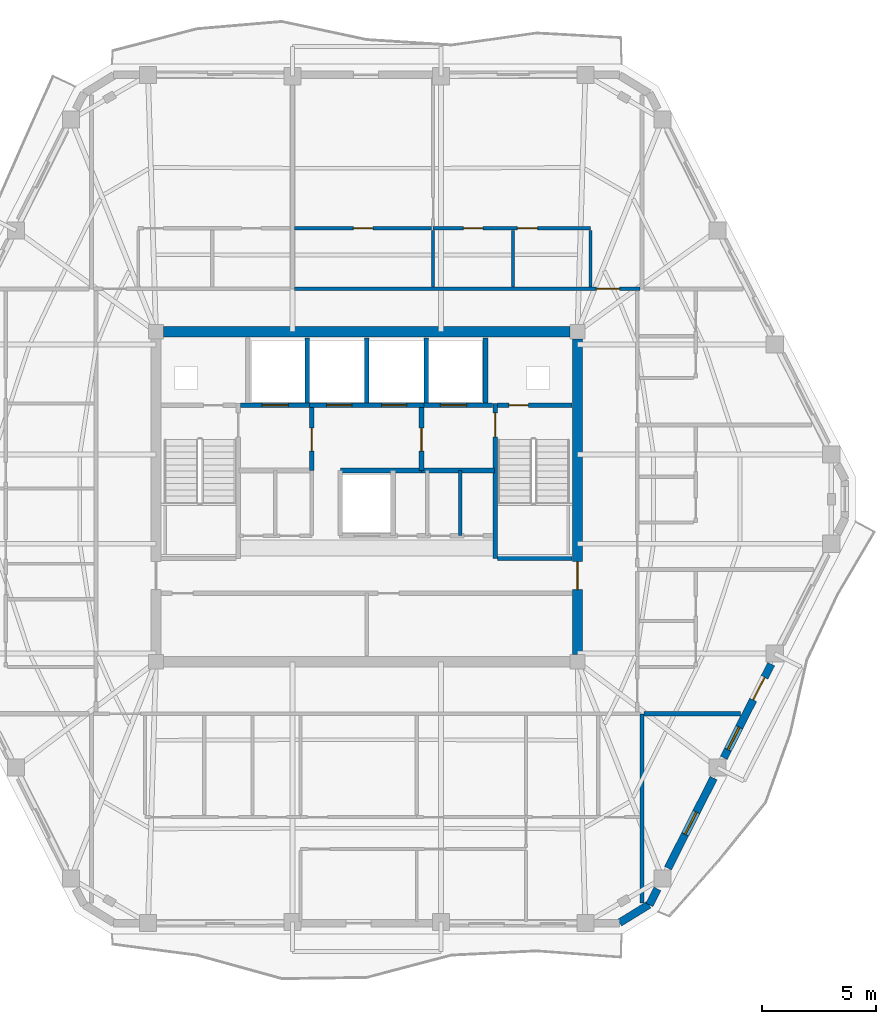
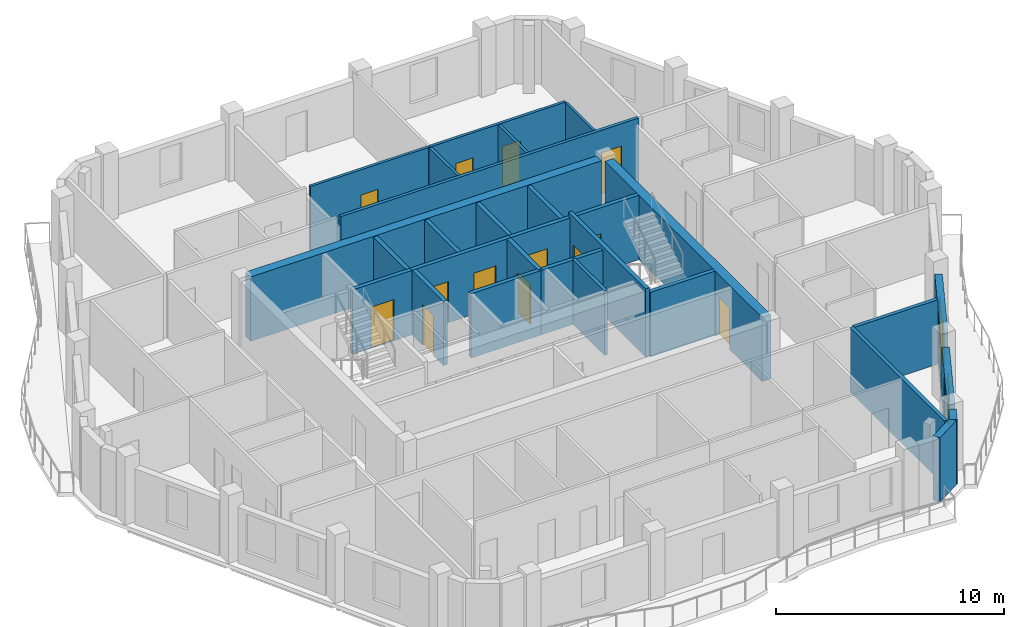
# One storey, part 6 of 11: 29 walls, 14 doors, 2 windows, 16 openings.
"""IFC4 building model written with IfcOpenShell, lengths in metres."""

import ifcopenshell
import ifcopenshell.guid

model = None  # the IFC model being written
_history = None  # IfcOwnerHistory: only IFC2X3 demands one
_inside = {}  # id of a spatial element -> (the spatial element, [elements in it])
_under = {}  # id of a project, library or spatial element -> (it, [spatial elements below it])
_declared = {}  # id of a project -> (the project, [libraries it declares])
_typed = {}  # id of a type object -> (the type object, [elements of that type])
_made_of = {}  # id of a material, layer set ... -> (it, [elements and type objects made of it])


def new_model(schema):
    """Start an empty IFC model of exactly this schema.

    Asked for "IFC4X3", IfcOpenShell would pick the latest addendum, in which some entities
    have other attributes; the version numbers below select the first issue.
    IFC2X3 requires an IfcOwnerHistory on every rooted entity: one is made here for all.
    """
    global model, _history
    if schema == "IFC4X3":
        model = ifcopenshell.file(schema_version=(4, 3, 0, 0))
    else:
        model = ifcopenshell.file(schema=schema)
    _inside.clear()
    _under.clear()
    _declared.clear()
    _typed.clear()
    _made_of.clear()
    _history = None
    if model.schema == "IFC2X3":
        org = make("IfcOrganization", Name="unknown")
        user = make(
            "IfcPersonAndOrganization",
            ThePerson=make("IfcPerson", FamilyName="unknown"),
            TheOrganization=org,
        )
        app = make(
            "IfcApplication",
            ApplicationDeveloper=org,
            Version="unknown",
            ApplicationFullName="unknown",
            ApplicationIdentifier="unknown",
        )
        _history = make(
            "IfcOwnerHistory",
            OwningUser=user,
            OwningApplication=app,
            ChangeAction="ADDED",
            CreationDate=0,
        )
    return model


def make(cls, **values):
    """One entity of the class cls with the attributes given. An attribute that is None is left unset."""
    return model.create_entity(
        cls, **{name: value for name, value in values.items() if value is not None}
    )


def rooted(cls, **values):
    """An entity with a GlobalId (a new one), such as an element, a storey or a relation."""
    return make(cls, GlobalId=ifcopenshell.guid.new(), OwnerHistory=_history, **values)


def si_unit(unit_type, name, prefix=None):
    """IfcSIUnit, for example si_unit("LENGTHUNIT", "METRE", prefix="MILLI")."""
    return make("IfcSIUnit", UnitType=unit_type, Prefix=prefix, Name=name)


def assignment(units):
    """IfcUnitAssignment: the units of a project."""
    return None if units is None else make("IfcUnitAssignment", Units=units)


def point(xyz):
    """IfcCartesianPoint."""
    return None if xyz is None else make("IfcCartesianPoint", Coordinates=xyz)


def direction(xyz):
    """IfcDirection."""
    return None if xyz is None else make("IfcDirection", DirectionRatios=xyz)


def frame(location, z_axis=None, x_axis=None):
    """IfcAxis2Placement3D, a coordinate frame: its origin and axes. An axis left out is left unset."""
    return make(
        "IfcAxis2Placement3D",
        Location=point(location),
        Axis=direction(z_axis),
        RefDirection=direction(x_axis),
    )


def frame_2d(location, x_axis=None):
    """IfcAxis2Placement2D, a coordinate frame in the plane: its origin and x axis."""
    return make(
        "IfcAxis2Placement2D", Location=point(location), RefDirection=direction(x_axis)
    )


def origin():
    """The frame at (0, 0, 0) with its axes left unset."""
    return frame((0.0, 0.0, 0.0))


def place(relative_to, where):
    """IfcLocalPlacement: puts the frame where relative to a parent placement (None: the world)."""
    return make(
        "IfcLocalPlacement", PlacementRelTo=relative_to, RelativePlacement=where
    )


def context(
    kind, dimensions, precision=None, world=None, true_north=None, identifier=None
):
    """IfcGeometricRepresentationContext, for example the 3D "Model" context."""
    return make(
        "IfcGeometricRepresentationContext",
        ContextIdentifier=identifier,
        ContextType=kind,
        CoordinateSpaceDimension=dimensions,
        Precision=precision,
        WorldCoordinateSystem=world,
        TrueNorth=true_north,
    )


def subcontext(parent, identifier, kind, view, scale=None):
    """IfcGeometricRepresentationSubContext, for example "Body" below "Model"."""
    return make(
        "IfcGeometricRepresentationSubContext",
        ContextIdentifier=identifier,
        ContextType=kind,
        ParentContext=parent,
        TargetScale=scale,
        TargetView=view,
    )


def project(units=None, contexts=None):
    """IfcProject with its units and contexts."""
    return rooted(
        "IfcProject",
        Name="project",
        RepresentationContexts=contexts,
        UnitsInContext=assignment(units),
    )


def spatial(cls, under=None, at=None, **own):
    """A site, building, storey or space (cls), placed at a placement, below another one or the project."""
    s = rooted(cls, ObjectPlacement=at, **own)
    if under is not None:
        _under.setdefault(under.id(), (under, []))[1].append(s)
    return s


def profile(cls, at=None, kind="AREA", **sizes):
    """A parametric profile (cls). Its sizes go by their IFC names, for example OverallWidth=200.0."""
    return make(cls, ProfileType=kind, Position=at, **sizes)


def rectangle(**sizes):
    """IfcRectangleProfileDef."""
    return profile("IfcRectangleProfileDef", **sizes)


def extrude(swept, where, along, depth):
    """IfcExtrudedAreaSolid: the profile swept, set in the frame where, extruded along a direction by depth."""
    return make(
        "IfcExtrudedAreaSolid",
        SweptArea=swept,
        Position=where,
        ExtrudedDirection=direction(along),
        Depth=depth,
    )


def shape(context_of_items, identifier, shape_type, items):
    """IfcShapeRepresentation: the items that make up one representation, for example the "Body"."""
    return make(
        "IfcShapeRepresentation",
        ContextOfItems=context_of_items,
        RepresentationIdentifier=identifier,
        RepresentationType=shape_type,
        Items=items,
    )


def material(Name=None, Category=None):
    """IfcMaterial."""
    return make("IfcMaterial", Name=Name, Category=Category)


def layer(
    of_material, thickness, ventilated=None, Name=None, Category=None, Priority=None
):
    """IfcMaterialLayer: one layer of a wall or slab, of a material (None: an air gap)."""
    return make(
        "IfcMaterialLayer",
        Material=of_material,
        LayerThickness=thickness,
        IsVentilated=ventilated,
        Name=Name,
        Category=Category,
        Priority=Priority,
    )


def layer_set(layers, Name=None):
    """IfcMaterialLayerSet."""
    return make("IfcMaterialLayerSet", MaterialLayers=layers, LayerSetName=Name)


def made_of(thing, what):
    """Note that an element or type object is made of a material, layer set ...; save() writes the relation."""
    if what is not None:
        _made_of.setdefault(what.id(), (what, []))[1].append(thing)
    return thing


def type_object(cls, material=None, **own):
    """A type object (cls), such as IfcWallType, which elements share."""
    return made_of(rooted(cls, **own), material)


def element(
    cls,
    number,
    at=None,
    inside=None,
    cuts=None,
    type_object=None,
    material=None,
    context=None,
    identifier="Body",
    shape_type=None,
    held_by="IfcProductDefinitionShape",
    body=None,
    shapes=None,
    **own,
):
    """One element of the class cls, such as IfcWall. Its Tag is "e" and its number.

    at: its placement. inside: the storey or other place that contains it. cuts: it is an
    opening in that element (IfcRelVoidsElement). A single representation is given by context,
    identifier, shape_type and body (its items); several are given by shapes. held_by: the class
    of the entity that holds the representations. save() writes the other relations.
    """
    e = rooted(cls, Tag="e%d" % number, ObjectPlacement=at, **own)
    if body is not None:
        shapes = [shape(context, identifier, shape_type, body)]
    if shapes is not None:
        e.Representation = make(held_by, Representations=shapes)
    if inside is not None:
        _inside.setdefault(inside.id(), (inside, []))[1].append(e)
    if cuts is not None:
        rooted(
            "IfcRelVoidsElement", RelatingBuildingElement=cuts, RelatedOpeningElement=e
        )
    if type_object is not None:
        _typed.setdefault(type_object.id(), (type_object, []))[1].append(e)
    return made_of(e, material)


def fill(opening, filler):
    """IfcRelFillsElement: the door or window that sits in an opening."""
    return rooted(
        "IfcRelFillsElement",
        RelatingOpeningElement=opening,
        RelatedBuildingElement=filler,
    )


def aggregate(whole, parts):
    """IfcRelAggregates: a whole, such as a stair, and the parts it consists of."""
    return rooted("IfcRelAggregates", RelatingObject=whole, RelatedObjects=parts)


def save(model, path):
    """Write the relations noted so far, then the file.

    IfcRelAggregates (storeys below a building ...), IfcRelContainedInSpatialStructure (elements
    in a storey), IfcRelDefinesByType, IfcRelAssociatesMaterial and IfcRelDeclares: one each for
    every whole, place, type object, material and project.
    """
    for whole, parts in _under.values():
        aggregate(whole, parts)
    for where, things in _inside.values():
        rooted(
            "IfcRelContainedInSpatialStructure",
            RelatedElements=things,
            RelatingStructure=where,
        )
    for kind, things in _typed.values():
        rooted("IfcRelDefinesByType", RelatedObjects=things, RelatingType=kind)
    for what, things in _made_of.values():
        rooted("IfcRelAssociatesMaterial", RelatedObjects=things, RelatingMaterial=what)
    for by, libraries in _declared.values():
        rooted("IfcRelDeclares", RelatingContext=by, RelatedDefinitions=libraries)
    model.write(path)


model = new_model("IFC4")

# Units and contexts
model_context = context("Model", 3, precision=1e-05, world=origin(), true_north=direction((0.0, 1.0)))
body_context = subcontext(model_context, "Body", "Model", "MODEL_VIEW")
ifc_project = project(units=[si_unit("LENGTHUNIT", "METRE"), si_unit("AREAUNIT", "SQUARE_METRE"), si_unit("VOLUMEUNIT", "CUBIC_METRE"), si_unit("PLANEANGLEUNIT", "RADIAN"), si_unit("MASSUNIT", "GRAM", prefix="KILO")], contexts=[model_context])

# Site, building, storey
site_placement = place(None, origin())
site = spatial("IfcSite", under=ifc_project, at=site_placement, CompositionType="ELEMENT")
building_placement = place(site_placement, origin())
building = spatial("IfcBuilding", under=site, at=building_placement, Name="Cinnabar Lancet Tower", CompositionType="ELEMENT")
storey_placement = place(building_placement, frame((0.0, 0.0, 248.89990234375)))
storey = spatial("IfcBuildingStorey", under=building, at=storey_placement, Name="L66", CompositionType="ELEMENT", Elevation=248.89990234375)

# Wall
ifc_material_1 = material(Name="Acoustic twin-stud gypsum partition", Category="gypsum")
ifc_layer_1 = layer(ifc_material_1, 0.159912109375)
ifc_layer_set_1 = layer_set([ifc_layer_1], Name="Acoustic twin-stud gypsum partition")
wall_type_1 = type_object("IfcWallType", Name="ARC-WL-CORR-160", PredefinedType="PARTITIONING", material=ifc_layer_set_1)
wall_1_placement = place(storey_placement, frame((36.5, 24.199951171875, 0.0), z_axis=(0.0, 0.0, 1.0), x_axis=(0.0, 1.0, 0.0)))
element("IfcWall", 1, at=wall_1_placement, inside=storey, type_object=wall_type_1, Name="CW-REC6D2-L66", PredefinedType="PARTITIONING", context=body_context, shape_type="SweptSolid", body=[
    extrude(rectangle(XDim=2.85009765625, YDim=0.159912109375, at=frame_2d((1.425048828125, 0.0))), origin(), (0.0, 0.0, 1.0), 3.4501953125),
])

# Wall, opening, door
wall_2_placement = place(storey_placement, frame((29.240966796875, 35.0, 0.0), z_axis=(0.0, 0.0, 1.0), x_axis=(1.0, 0.0, 0.0)))
wall_2 = element("IfcWall", 2, at=wall_2_placement, inside=storey, type_object=wall_type_1, Name="L66 Unit N02 Corridor Wall", PredefinedType="PARTITIONING", context=body_context, shape_type="SweptSolid", body=[
    extrude(rectangle(XDim=15.114013671875, YDim=0.159912109375, at=frame_2d((7.55712890625, 0.0))), origin(), (0.0, 0.0, 1.0), 3.4501953125),
])
opening_1_placement = place(wall_2_placement, frame((13.208984375, 0.0, 0.0)))
opening_1 = element("IfcOpeningElement", 3, at=opening_1_placement, cuts=wall_2, Name="Opening UD-01", PredefinedType="OPENING", context=body_context, shape_type="SweptSolid", body=[
    extrude(rectangle(XDim=1.02001953125, YDim=2.25, at=frame_2d((0.510009765625, 1.125))), frame((0.0, 0.08984375, 0.0), z_axis=(0.0, -1.0, 0.0), x_axis=(1.0, 0.0, 0.0)), (0.0, 0.0, 1.0), 0.179931640625),
])
ifc_material_2 = material(Name="Solid timber fire-rated apartment entrance door", Category="wood")
door_type_1 = type_object("IfcDoorType", Name="ARC-DR-UNIT", OperationType="NOTDEFINED", PredefinedType="DOOR", material=ifc_material_2)
door_1_placement = place(opening_1_placement, origin())
door_1 = element("IfcDoor", 4, at=door_1_placement, inside=storey, type_object=door_type_1, Name="DR-L66-N02-ENT", OperationType="SINGLE_SWING_LEFT", OverallHeight=2.25, OverallWidth=1.02001953125, PredefinedType="DOOR", context=body_context, shape_type="SweptSolid", body=[
    extrude(rectangle(XDim=1.02001953125, YDim=2.25, at=frame_2d((0.510009765625, 1.125))), frame((0.0, 0.02490234375, 0.0), z_axis=(0.0, -1.0, 0.0), x_axis=(1.0, 0.0, 0.0)), (0.0, 0.0, 1.0), 0.050048828125),
])
fill(opening_1, door_1)

# Walls
ifc_material_3 = material(Name="Fire-rated twin-frame acoustic drywall", Category="gypsum")
ifc_layer_2 = layer(ifc_material_3, 0.179931640625)
ifc_layer_set_2 = layer_set([ifc_layer_2], Name="Fire-rated twin-frame acoustic drywall")
wall_type_2 = type_object("IfcWallType", Name="ARC-WL-PARTY-180", PredefinedType="PARTITIONING", material=ifc_layer_set_2)
wall_3_placement = place(storey_placement, frame((44.449951171875, 8.118896484375, 0.0), z_axis=(0.0, 0.0, 1.0), x_axis=(0.0, 1.0, 0.0)))
element("IfcWall", 5, at=wall_3_placement, inside=storey, type_object=wall_type_2, Name="PW-L66-SPTY-444", PredefinedType="PARTITIONING", context=body_context, shape_type="SweptSolid", body=[
    extrude(rectangle(XDim=8.281005859375, YDim=0.179931640625, at=frame_2d((4.140625, 0.0))), origin(), (0.0, 0.0, 1.0), 3.4501953125),
])
wall_4_placement = place(storey_placement, frame((44.544921875, 16.39990234375, 0.0), z_axis=(0.0, 0.0, 1.0), x_axis=(1.0, 0.0, 0.0)))
element("IfcWall", 6, at=wall_4_placement, inside=storey, type_object=wall_type_2, Name="PW-L66-ESB", PredefinedType="PARTITIONING", context=body_context, shape_type="SweptSolid", body=[
    extrude(rectangle(XDim=4.22119140625, YDim=0.179931640625, at=frame_2d((2.110595703125, 0.0))), origin(), (0.0, 0.0, 1.0), 3.4501953125),
])
ifc_material_4 = material(Name="Autoclaved aerated concrete blockwork", Category="masonry")
ifc_layer_3 = layer(ifc_material_4, 0.199951171875)
ifc_layer_set_3 = layer_set([ifc_layer_3], Name="Autoclaved aerated concrete blockwork")
wall_type_3 = type_object("IfcWallType", Name="ARC-WL-SHAFT-200", PredefinedType="PLUMBINGWALL", material=ifc_layer_set_3)
wall_5_placement = place(storey_placement, frame((38.125, 23.199951171875, 0.0), z_axis=(0.0, 0.0, 1.0), x_axis=(1.0, 0.0, 0.0)))
element("IfcWall", 7, at=wall_5_placement, inside=storey, type_object=wall_type_3, Name="CW-ST2S-L66", PredefinedType="PLUMBINGWALL", context=body_context, shape_type="SweptSolid", body=[
    extrude(rectangle(XDim=3.27001953125, YDim=0.199951171875, at=frame_2d((1.635009765625, 0.0))), origin(), (0.0, 0.0, 1.0), 3.4501953125),
])

# Wall, opening, door
wall_6_placement = place(storey_placement, frame((26.885009765625, 29.89990234375, 0.0), z_axis=(0.0, 0.0, 1.0), x_axis=(1.0, 0.0, 0.0)))
wall_6 = element("IfcWall", 8, at=wall_6_placement, inside=storey, type_object=wall_type_3, Name="CW-FL1-L66", PredefinedType="PLUMBINGWALL", context=body_context, shape_type="SweptSolid", body=[
    extrude(rectangle(XDim=3.014892578125, YDim=0.199951171875, at=frame_2d((1.50732421875, 0.0))), origin(), (0.0, 0.0, 1.0), 3.4501953125),
])
opening_2_placement = place(wall_6_placement, frame((0.93994140625, 0.0, 0.0)))
opening_2 = element("IfcOpeningElement", 9, at=opening_2_placement, cuts=wall_6, Name="Opening LD-02", PredefinedType="OPENING", context=body_context, shape_type="SweptSolid", body=[
    extrude(rectangle(XDim=1.14990234375, YDim=2.199951171875, at=frame_2d((0.574951171875, 1.10009765625))), frame((0.0, 0.10986328125, 0.0), z_axis=(0.0, -1.0, 0.0), x_axis=(1.0, 0.0, 0.0)), (0.0, 0.0, 1.0), 0.219970703125),
])
ifc_material_5 = material(Name="Fire-rated stainless steel firefighting lift landing door", Category="steel")
door_type_2 = type_object("IfcDoorType", Name="ARC-DR-LD-FIRE", OperationType="NOTDEFINED", PredefinedType="DOOR", material=ifc_material_5)
door_2_placement = place(opening_2_placement, origin())
door_2 = element("IfcDoor", 10, at=door_2_placement, inside=storey, type_object=door_type_2, Name="L66 Firefighting Lift FL-1 Landing Door", OperationType="DOUBLE_DOOR_SLIDING", OverallHeight=2.199951171875, OverallWidth=1.14990234375, PredefinedType="DOOR", context=body_context, shape_type="SweptSolid", body=[
    extrude(rectangle(XDim=1.14990234375, YDim=2.199951171875, at=frame_2d((0.574951171875, 1.10009765625))), frame((0.0, 0.02490234375, 0.0), z_axis=(0.0, -1.0, 0.0), x_axis=(1.0, 0.0, 0.0)), (0.0, 0.0, 1.0), 0.050048828125),
])
fill(opening_2, door_2)

# Wall, openings, doors
wall_7_placement = place(storey_placement, frame((29.89990234375, 29.89990234375, 0.0), z_axis=(0.0, 0.0, 1.0), x_axis=(1.0, 0.0, 0.0)))
wall_7 = element("IfcWall", 11, at=wall_7_placement, inside=storey, type_object=wall_type_3, Name="CW-PL78-L66", PredefinedType="PLUMBINGWALL", context=body_context, shape_type="SweptSolid", body=[
    extrude(rectangle(XDim=5.0, YDim=0.199951171875, at=frame_2d((2.5, 0.0))), origin(), (0.0, 0.0, 1.0), 3.4501953125),
])
opening_3_placement = place(wall_7_placement, frame((0.75, 0.0, 0.0)))
opening_3 = element("IfcOpeningElement", 12, at=opening_3_placement, cuts=wall_7, Name="Opening LD-01", PredefinedType="OPENING", context=body_context, shape_type="SweptSolid", body=[
    extrude(rectangle(XDim=1.10009765625, YDim=2.199951171875, at=frame_2d((0.550048828125, 1.10009765625))), frame((0.0, 0.10986328125, 0.0), z_axis=(0.0, -1.0, 0.0), x_axis=(1.0, 0.0, 0.0)), (0.0, 0.0, 1.0), 0.219970703125),
])
opening_4_placement = place(wall_7_placement, frame((3.14990234375, 0.0, 0.0)))
opening_4 = element("IfcOpeningElement", 13, at=opening_4_placement, cuts=wall_7, Name="Opening LD-01", PredefinedType="OPENING", context=body_context, shape_type="SweptSolid", body=[
    extrude(rectangle(XDim=1.10009765625, YDim=2.199951171875, at=frame_2d((0.550048828125, 1.10009765625))), frame((0.0, 0.10986328125, 0.0), z_axis=(0.0, -1.0, 0.0), x_axis=(1.0, 0.0, 0.0)), (0.0, 0.0, 1.0), 0.219970703125),
])
ifc_material_6 = material(Name="Brushed stainless steel sliding lift door", Category="steel")
door_type_3 = type_object("IfcDoorType", Name="ARC-DR-LD-PASS", OperationType="NOTDEFINED", PredefinedType="DOOR", material=ifc_material_6)
door_3_placement = place(opening_3_placement, origin())
door_3 = element("IfcDoor", 14, at=door_3_placement, inside=storey, type_object=door_type_3, Name="L66 Lift PL-7 Landing Door", OperationType="DOUBLE_DOOR_SLIDING", OverallHeight=2.199951171875, OverallWidth=1.10009765625, PredefinedType="DOOR", context=body_context, shape_type="SweptSolid", body=[
    extrude(rectangle(XDim=1.10009765625, YDim=2.199951171875, at=frame_2d((0.550048828125, 1.10009765625))), frame((0.0, 0.02490234375, 0.0), z_axis=(0.0, -1.0, 0.0), x_axis=(1.0, 0.0, 0.0)), (0.0, 0.0, 1.0), 0.050048828125),
])
fill(opening_3, door_3)
door_4_placement = place(opening_4_placement, origin())
door_4 = element("IfcDoor", 15, at=door_4_placement, inside=storey, type_object=door_type_3, Name="L66 Lift PL-8 Landing Door", OperationType="DOUBLE_DOOR_SLIDING", OverallHeight=2.199951171875, OverallWidth=1.10009765625, PredefinedType="DOOR", context=body_context, shape_type="SweptSolid", body=[
    extrude(rectangle(XDim=1.10009765625, YDim=2.199951171875, at=frame_2d((0.550048828125, 1.10009765625))), frame((0.0, 0.02490234375, 0.0), z_axis=(0.0, -1.0, 0.0), x_axis=(1.0, 0.0, 0.0)), (0.0, 0.0, 1.0), 0.050048828125),
])
fill(opening_4, door_4)

# Wall, opening, door
wall_8_placement = place(storey_placement, frame((34.89990234375, 29.89990234375, 0.0), z_axis=(0.0, 0.0, 1.0), x_axis=(1.0, 0.0, 0.0)))
wall_8 = element("IfcWall", 16, at=wall_8_placement, inside=storey, type_object=wall_type_3, Name="CW-FL2-L66", PredefinedType="PLUMBINGWALL", context=body_context, shape_type="SweptSolid", body=[
    extrude(rectangle(XDim=3.01513671875, YDim=0.199951171875, at=frame_2d((1.507568359375, 0.0))), origin(), (0.0, 0.0, 1.0), 3.4501953125),
])
opening_5_placement = place(wall_8_placement, frame((0.72509765625, 0.0, 0.0)))
opening_5 = element("IfcOpeningElement", 17, at=opening_5_placement, cuts=wall_8, Name="Opening LD-02", PredefinedType="OPENING", context=body_context, shape_type="SweptSolid", body=[
    extrude(rectangle(XDim=1.14990234375, YDim=2.199951171875, at=frame_2d((0.574951171875, 1.10009765625))), frame((0.0, 0.10986328125, 0.0), z_axis=(0.0, -1.0, 0.0), x_axis=(1.0, 0.0, 0.0)), (0.0, 0.0, 1.0), 0.219970703125),
])
door_5_placement = place(opening_5_placement, origin())
door_5 = element("IfcDoor", 18, at=door_5_placement, inside=storey, type_object=door_type_2, Name="L66 Firefighting Lift FL-2 Landing Door", OperationType="DOUBLE_DOOR_SLIDING", OverallHeight=2.199951171875, OverallWidth=1.14990234375, PredefinedType="DOOR", context=body_context, shape_type="SweptSolid", body=[
    extrude(rectangle(XDim=1.14990234375, YDim=2.199951171875, at=frame_2d((0.574951171875, 1.10009765625))), frame((0.0, 0.02490234375, 0.0), z_axis=(0.0, -1.0, 0.0), x_axis=(1.0, 0.0, 0.0)), (0.0, 0.0, 1.0), 0.050048828125),
])
fill(opening_5, door_5)

wall_9_placement = place(storey_placement, frame((38.125, 29.89990234375, 0.0), z_axis=(0.0, 0.0, 1.0), x_axis=(1.0, 0.0, 0.0)))
wall_9 = element("IfcWall", 19, at=wall_9_placement, inside=storey, type_object=wall_type_3, Name="CW-NSH-E-L66", PredefinedType="PLUMBINGWALL", context=body_context, shape_type="SweptSolid", body=[
    extrude(rectangle(XDim=3.27001953125, YDim=0.199951171875, at=frame_2d((1.635009765625, 0.0))), origin(), (0.0, 0.0, 1.0), 3.4501953125),
])
opening_6_placement = place(wall_9_placement, frame((0.5, 0.0, 0.0)))
opening_6 = element("IfcOpeningElement", 20, at=opening_6_placement, cuts=wall_9, Name="Opening PD-02", PredefinedType="OPENING", context=body_context, shape_type="SweptSolid", body=[
    extrude(rectangle(XDim=0.85009765625, YDim=2.050048828125, at=frame_2d((0.425048828125, 1.02490234375))), frame((0.0, 0.10986328125, 0.0), z_axis=(0.0, -1.0, 0.0), x_axis=(1.0, 0.0, 0.0)), (0.0, 0.0, 1.0), 0.219970703125),
])
ifc_material_7 = material(Name="Fire-rated steel riser access door", Category="steel")
door_type_4 = type_object("IfcDoorType", Name="ARC-DR-RISER", OperationType="NOTDEFINED", PredefinedType="DOOR", material=ifc_material_7)
door_6_placement = place(opening_6_placement, origin())
door_6 = element("IfcDoor", 21, at=door_6_placement, inside=storey, type_object=door_type_4, Name="L66 East Riser Access Door", OperationType="SINGLE_SWING_RIGHT", OverallHeight=2.050048828125, OverallWidth=0.85009765625, PredefinedType="DOOR", context=body_context, shape_type="SweptSolid", body=[
    extrude(rectangle(XDim=0.85009765625, YDim=2.050048828125, at=frame_2d((0.425048828125, 1.02490234375))), frame((0.0, 0.02490234375, 0.0), z_axis=(0.0, -1.0, 0.0), x_axis=(1.0, 0.0, 0.0)), (0.0, 0.0, 1.0), 0.050048828125),
])
fill(opening_6, door_6)

# Walls
for number, where, z_axis, x_axis, name in (
    (22, (29.800048828125, 30.0, 0.0), (0.0, 0.0, 1.0), (0.0, 1.0, 0.0), "CW-NSH-D2-L66"),
    (23, (32.39990234375, 30.0, 0.0), (0.0, 0.0, 1.0), (0.0, 1.0, 0.0), "CW-NSH-D3-L66"),
    (24, (35.0, 30.0, 0.0), (0.0, 0.0, 1.0), (0.0, 1.0, 0.0), "CW-NSH-D4-L66"),
    (25, (37.60009765625, 30.0, 0.0), (0.0, 0.0, 1.0), (0.0, 1.0, 0.0), "CW-NSH-D5-L66"),
):
    element("IfcWall", number, at=place(storey_placement, frame(where, z_axis=z_axis, x_axis=x_axis)), inside=storey, type_object=wall_type_3, Name=name, PredefinedType="PLUMBINGWALL", context=body_context, shape_type="SweptSolid", body=[
        extrude(rectangle(XDim=2.85009765625, YDim=0.199951171875, at=frame_2d((1.425048828125, 0.0))), origin(), (0.0, 0.0, 1.0), 3.4501953125),
    ])

# Wall, opening, door
wall_10_placement = place(storey_placement, frame((30.0, 27.050048828125, 0.0), z_axis=(0.0, 0.0, 1.0), x_axis=(0.0, 1.0, 0.0)))
wall_10 = element("IfcWall", 26, at=wall_10_placement, inside=storey, type_object=wall_type_3, Name="CW-FF1E-L66", PredefinedType="PLUMBINGWALL", context=body_context, shape_type="SweptSolid", body=[
    extrude(rectangle(XDim=2.75, YDim=0.199951171875, at=frame_2d((1.375, 0.0))), origin(), (0.0, 0.0, 1.0), 3.4501953125),
])
opening_7_placement = place(wall_10_placement, frame((0.85009765625, 0.0, 0.0)))
opening_7 = element("IfcOpeningElement", 27, at=opening_7_placement, cuts=wall_10, Name="Opening FD-01", PredefinedType="OPENING", context=body_context, shape_type="SweptSolid", body=[
    extrude(rectangle(XDim=1.0, YDim=2.14990234375, at=frame_2d((0.5, 1.074951171875))), frame((0.0, 0.10986328125, 0.0), z_axis=(0.0, -1.0, 0.0), x_axis=(1.0, 0.0, 0.0)), (0.0, 0.0, 1.0), 0.219970703125),
])
ifc_material_8 = material(Name="Fire-rated timber-core lobby door", Category="wood")
door_type_5 = type_object("IfcDoorType", Name="ARC-DR-FFAL", OperationType="NOTDEFINED", PredefinedType="DOOR", material=ifc_material_8)
door_7_placement = place(opening_7_placement, origin())
door_7 = element("IfcDoor", 28, at=door_7_placement, inside=storey, type_object=door_type_5, Name="L66 FFAL-1 Lobby Fire Door", OperationType="SINGLE_SWING_RIGHT", OverallHeight=2.14990234375, OverallWidth=1.0, PredefinedType="DOOR", context=body_context, shape_type="SweptSolid", body=[
    extrude(rectangle(XDim=1.0, YDim=2.14990234375, at=frame_2d((0.5, 1.074951171875))), frame((0.0, 0.02490234375, 0.0), z_axis=(0.0, -1.0, 0.0), x_axis=(1.0, 0.0, 0.0)), (0.0, 0.0, 1.0), 0.050048828125),
])
fill(opening_7, door_7)

wall_11_placement = place(storey_placement, frame((34.800048828125, 27.050048828125, 0.0), z_axis=(0.0, 0.0, 1.0), x_axis=(0.0, 1.0, 0.0)))
wall_11 = element("IfcWall", 29, at=wall_11_placement, inside=storey, type_object=wall_type_3, Name="CW-FF2W-L66", PredefinedType="PLUMBINGWALL", context=body_context, shape_type="SweptSolid", body=[
    extrude(rectangle(XDim=2.75, YDim=0.199951171875, at=frame_2d((1.375, 0.0))), origin(), (0.0, 0.0, 1.0), 3.4501953125),
])
opening_8_placement = place(wall_11_placement, frame((0.85009765625, 0.0, 0.0)))
opening_8 = element("IfcOpeningElement", 30, at=opening_8_placement, cuts=wall_11, Name="Opening FD-01", PredefinedType="OPENING", context=body_context, shape_type="SweptSolid", body=[
    extrude(rectangle(XDim=1.0, YDim=2.14990234375, at=frame_2d((0.5, 1.074951171875))), frame((0.0, 0.10986328125, 0.0), z_axis=(0.0, -1.0, 0.0), x_axis=(1.0, 0.0, 0.0)), (0.0, 0.0, 1.0), 0.219970703125),
])
door_8_placement = place(opening_8_placement, origin())
door_8 = element("IfcDoor", 31, at=door_8_placement, inside=storey, type_object=door_type_5, Name="L66 FFAL-2 Lobby Fire Door", OperationType="SINGLE_SWING_LEFT", OverallHeight=2.14990234375, OverallWidth=1.0, PredefinedType="DOOR", context=body_context, shape_type="SweptSolid", body=[
    extrude(rectangle(XDim=1.0, YDim=2.14990234375, at=frame_2d((0.5, 1.074951171875))), frame((0.0, 0.02490234375, 0.0), z_axis=(0.0, -1.0, 0.0), x_axis=(1.0, 0.0, 0.0)), (0.0, 0.0, 1.0), 0.050048828125),
])
fill(opening_8, door_8)

# Walls
wall_12_placement = place(storey_placement, frame((34.800048828125, 27.050048828125, 0.0), z_axis=(0.0, 0.0, 1.0), x_axis=(1.0, 0.0, 0.0)))
element("IfcWall", 32, at=wall_12_placement, inside=storey, type_object=wall_type_3, Name="CW-FF2S-L66", PredefinedType="PLUMBINGWALL", context=body_context, shape_type="SweptSolid", body=[
    extrude(rectangle(XDim=3.199951171875, YDim=0.199951171875, at=frame_2d((1.60009765625, 0.0))), origin(), (0.0, 0.0, 1.0), 3.4501953125),
])
wall_13_placement = place(storey_placement, frame((31.25, 27.050048828125, 0.0), z_axis=(0.0, 0.0, 1.0), x_axis=(1.0, 0.0, 0.0)))
element("IfcWall", 33, at=wall_13_placement, inside=storey, type_object=wall_type_3, Name="CW-PL96N-L66", PredefinedType="PLUMBINGWALL", context=body_context, shape_type="SweptSolid", body=[
    extrude(rectangle(XDim=3.550048828125, YDim=0.199951171875, at=frame_2d((1.77490234375, 0.0))), origin(), (0.0, 0.0, 1.0), 3.4501953125),
])
ifc_material_9 = material(Name="Gypsum plasterboard stud partition", Category="gypsum")
ifc_layer_4 = layer(ifc_material_9, 0.125)
ifc_layer_set_4 = layer_set([ifc_layer_4], Name="Gypsum plasterboard stud partition")
wall_type_4 = type_object("IfcWallType", Name="ARC-WL-UNIT-125", PredefinedType="PARTITIONING", material=ifc_layer_set_4)
wall_14_placement = place(storey_placement, frame((42.199951171875, 35.0849609375, 0.0), z_axis=(0.0, 0.0, 1.0), x_axis=(0.0, 1.0, 0.0)))
element("IfcWall", 34, at=wall_14_placement, inside=storey, type_object=wall_type_4, Name="UW-L66-N02-FOYW", PredefinedType="PARTITIONING", context=body_context, shape_type="SweptSolid", body=[
    extrude(rectangle(XDim=2.4599609375, YDim=0.125, at=frame_2d((1.22998046875, 0.0))), origin(), (0.0, 0.0, 1.0), 3.4501953125),
])

# Wall, openings, doors
ifc_material_10 = material(Name="Moisture-resistant cement-board plumbing wall", Category="masonry")
ifc_layer_5 = layer(ifc_material_10, 0.139892578125)
ifc_layer_set_5 = layer_set([ifc_layer_5], Name="Moisture-resistant cement-board plumbing wall")
wall_type_5 = type_object("IfcWallType", Name="ARC-WL-WET-140", PredefinedType="PLUMBINGWALL", material=ifc_layer_set_5)
wall_15_placement = place(storey_placement, frame((35.30810546875, 37.64990234375, 0.0), z_axis=(0.0, 0.0, 1.0), x_axis=(1.0, 0.0, 0.0)))
wall_15 = element("IfcWall", 35, at=wall_15_placement, inside=storey, type_object=wall_type_5, Name="UW-L66-N02-SPL", PredefinedType="PLUMBINGWALL", context=body_context, shape_type="SweptSolid", body=[
    extrude(rectangle(XDim=6.891845703125, YDim=0.139892578125, at=frame_2d((3.44580078125, 0.0))), origin(), (0.0, 0.0, 1.0), 3.4501953125),
])
opening_9_placement = place(wall_15_placement, frame((1.321044921875, 0.0, 0.0)))
opening_9 = element("IfcOpeningElement", 36, at=opening_9_placement, cuts=wall_15, Name="Opening BD-01", PredefinedType="OPENING", context=body_context, shape_type="SweptSolid", body=[
    extrude(rectangle(XDim=0.860107421875, YDim=2.10009765625, at=frame_2d((0.43017578125, 1.050048828125))), frame((0.0, 0.079833984375, 0.0), z_axis=(0.0, -1.0, 0.0), x_axis=(1.0, 0.0, 0.0)), (0.0, 0.0, 1.0), 0.159912109375),
])
opening_10_placement = place(wall_15_placement, frame((3.69189453125, 0.0, 0.0)))
opening_10 = element("IfcOpeningElement", 37, at=opening_10_placement, cuts=wall_15, Name="Opening RD-02", PredefinedType="OPENING", context=body_context, shape_type="SweptSolid", body=[
    extrude(rectangle(XDim=0.8798828125, YDim=2.14990234375, at=frame_2d((0.43994140625, 1.074951171875))), frame((0.0, 0.079833984375, 0.0), z_axis=(0.0, -1.0, 0.0), x_axis=(1.0, 0.0, 0.0)), (0.0, 0.0, 1.0), 0.159912109375),
])
ifc_material_11 = material(Name="Moisture-resistant timber bathroom door", Category="wood")
door_type_6 = type_object("IfcDoorType", Name="ARC-DR-BATH", OperationType="NOTDEFINED", PredefinedType="DOOR", material=ifc_material_11)
door_9_placement = place(opening_9_placement, origin())
door_9 = element("IfcDoor", 38, at=door_9_placement, inside=storey, type_object=door_type_6, Name="DR-L66-N02-BTH", OperationType="SINGLE_SWING_RIGHT", OverallHeight=2.10009765625, OverallWidth=0.860107421875, PredefinedType="DOOR", context=body_context, shape_type="SweptSolid", body=[
    extrude(rectangle(XDim=0.860107421875, YDim=2.10009765625, at=frame_2d((0.43017578125, 1.050048828125))), frame((0.0, 0.02490234375, 0.0), z_axis=(0.0, -1.0, 0.0), x_axis=(1.0, 0.0, 0.0)), (0.0, 0.0, 1.0), 0.050048828125),
])
fill(opening_9, door_9)
ifc_material_12 = material(Name="Engineered timber study door", Category="wood")
door_type_7 = type_object("IfcDoorType", Name="ARC-DR-STUDY", OperationType="NOTDEFINED", PredefinedType="DOOR", material=ifc_material_12)
door_10_placement = place(opening_10_placement, origin())
door_10 = element("IfcDoor", 39, at=door_10_placement, inside=storey, type_object=door_type_7, Name="DR-L66-N02-KIT", OperationType="SINGLE_SWING_LEFT", OverallHeight=2.14990234375, OverallWidth=0.8798828125, PredefinedType="DOOR", context=body_context, shape_type="SweptSolid", body=[
    extrude(rectangle(XDim=0.8798828125, YDim=2.14990234375, at=frame_2d((0.43994140625, 1.074951171875))), frame((0.0, 0.02490234375, 0.0), z_axis=(0.0, -1.0, 0.0), x_axis=(1.0, 0.0, 0.0)), (0.0, 0.0, 1.0), 0.050048828125),
])
fill(opening_10, door_10)

# Wall, opening, door
wall_16_placement = place(storey_placement, frame((29.240966796875, 37.64990234375, 0.0), z_axis=(0.0, 0.0, 1.0), x_axis=(1.0, 0.0, 0.0)))
wall_16 = element("IfcWall", 40, at=wall_16_placement, inside=storey, type_object=wall_type_5, Name="UW-L66-N02-SPM", PredefinedType="PLUMBINGWALL", context=body_context, shape_type="SweptSolid", body=[
    extrude(rectangle(XDim=5.991943359375, YDim=0.139892578125, at=frame_2d((2.99609375, 0.0))), origin(), (0.0, 0.0, 1.0), 3.4501953125),
])
opening_11_placement = place(wall_16_placement, frame((2.571044921875, 0.0, 0.0)))
opening_11 = element("IfcOpeningElement", 41, at=opening_11_placement, cuts=wall_16, Name="Opening BD-01", PredefinedType="OPENING", context=body_context, shape_type="SweptSolid", body=[
    extrude(rectangle(XDim=0.860107421875, YDim=2.10009765625, at=frame_2d((0.43017578125, 1.050048828125))), frame((0.0, 0.079833984375, 0.0), z_axis=(0.0, -1.0, 0.0), x_axis=(1.0, 0.0, 0.0)), (0.0, 0.0, 1.0), 0.159912109375),
])
door_11_placement = place(opening_11_placement, origin())
door_11 = element("IfcDoor", 42, at=door_11_placement, inside=storey, type_object=door_type_6, Name="DR-L66-N02-ENS", OperationType="SINGLE_SWING_LEFT", OverallHeight=2.10009765625, OverallWidth=0.860107421875, PredefinedType="DOOR", context=body_context, shape_type="SweptSolid", body=[
    extrude(rectangle(XDim=0.860107421875, YDim=2.10009765625, at=frame_2d((0.43017578125, 1.050048828125))), frame((0.0, 0.02490234375, 0.0), z_axis=(0.0, -1.0, 0.0), x_axis=(1.0, 0.0, 0.0)), (0.0, 0.0, 1.0), 0.050048828125),
])
fill(opening_11, door_11)

# Walls
for number, where, z_axis, x_axis, name in (
    (43, (38.800048828125, 35.0849609375, 0.0), (0.0, 0.0, 1.0), (0.0, 1.0, 0.0), "UW-L66-N02-KBD"),
    (44, (35.30810546875, 35.0849609375, 0.0), (0.0, 0.0, 1.0), (0.0, 1.0, 0.0), "UW-L66-N02-ENSW"),
):
    element("IfcWall", number, at=place(storey_placement, frame(where, z_axis=z_axis, x_axis=x_axis)), inside=storey, type_object=wall_type_5, Name=name, PredefinedType="PLUMBINGWALL", context=body_context, shape_type="SweptSolid", body=[
        extrude(rectangle(XDim=2.4599609375, YDim=0.139892578125, at=frame_2d((1.22998046875, 0.0))), origin(), (0.0, 0.0, 1.0), 3.4501953125),
    ])
ifc_material_13 = material(Name="Cinnabar red clay brick", Category="masonry")
ifc_layer_6 = layer(ifc_material_13, 0.340087890625)
ifc_layer_set_6 = layer_set([ifc_layer_6], Name="Cinnabar red clay brick")
wall_type_6 = type_object("IfcWallType", Name="ENV-WL-BRK-RED-340", PredefinedType="STANDARD", material=ifc_layer_set_6)
wall_17_placement = place(storey_placement, frame((43.468994140625, 7.2548828125, 0.0), z_axis=(0.0, 0.0, 1.0), x_axis=(0.851680557619, 0.52406128246, 0.0)))
element("IfcWall", 45, at=wall_17_placement, inside=storey, type_object=wall_type_6, Name="L66 Chamfered Corner Brick Pier 2.1", PredefinedType="STANDARD", context=body_context, shape_type="SweptSolid", body=[
    extrude(rectangle(XDim=1.507568359375, YDim=0.340087890625, at=frame_2d((0.75390625, 0.0))), origin(), (0.0, 0.0, 1.0), 3.4501953125),
])
wall_18_placement = place(storey_placement, frame((44.77294921875, 8.029052734375, 0.0), z_axis=(0.0, 0.0, 1.0), x_axis=(0.451159191899, 0.892443490404, 0.0)))
element("IfcWall", 46, at=wall_18_placement, inside=storey, type_object=wall_type_6, Name="L66 Face 2 Masonry Bay Wall 1", PredefinedType="STANDARD", context=body_context, shape_type="SweptSolid", body=[
    extrude(rectangle(XDim=0.791259765625, YDim=0.340087890625, at=frame_2d((0.3955078125, 0.0))), origin(), (0.0, 0.0, 1.0), 3.4501953125),
])

# Wall, opening, window
wall_19_placement = place(storey_placement, frame((45.5859375, 9.636962890625, 0.0), z_axis=(0.0, 0.0, 1.0), x_axis=(0.451440846853, 0.892301048858, 0.0)))
wall_19 = element("IfcWall", 47, at=wall_19_placement, inside=storey, type_object=wall_type_6, Name="L66 Face 2 Masonry Bay Wall 2", PredefinedType="STANDARD", context=body_context, shape_type="SweptSolid", body=[
    extrude(rectangle(XDim=4.43017578125, YDim=0.340087890625, at=frame_2d((2.215087890625, 0.0))), origin(), (0.0, 0.0, 1.0), 2.983154296875),
])
opening_12_placement = place(wall_19_placement, frame((1.6650390625, 0.0, 0.75)))
opening_12 = element("IfcOpeningElement", 48, at=opening_12_placement, cuts=wall_19, Name="Opening WN-04", PredefinedType="OPENING", context=body_context, shape_type="SweptSolid", body=[
    extrude(rectangle(XDim=1.10009765625, YDim=2.0, at=frame_2d((0.550048828125, 1.0))), frame((0.0, 0.179931640625, 0.0), z_axis=(0.0, -1.0, 0.0), x_axis=(1.0, 0.0, 0.0)), (0.0, 0.0, 1.0), 0.360107421875),
])
ifc_material_14 = material(Name="Thermally broken bronze-anodized aluminium tall lancet window", Category="aluminium")
window_type = type_object("IfcWindowType", Name="ENV-WN-LANCET-1100", PartitioningType="SINGLE_PANEL", PredefinedType="WINDOW", material=ifc_material_14)
window_1_placement = place(opening_12_placement, origin())
window_1 = element("IfcWindow", 49, at=window_1_placement, inside=storey, type_object=window_type, Name="L66 Face 2 Gothic Lancet Window 2", OverallHeight=2.0, OverallWidth=1.10009765625, PartitioningType="SINGLE_PANEL", PredefinedType="WINDOW", context=body_context, shape_type="SweptSolid", body=[
    extrude(rectangle(XDim=1.10009765625, YDim=2.0, at=frame_2d((0.550048828125, 1.0))), frame((0.0, 0.030029296875, 0.0), z_axis=(0.0, -1.0, 0.0), x_axis=(1.0, 0.0, 0.0)), (0.0, 0.0, 1.0), 0.06005859375),
])
fill(opening_12, window_1)

# Wall, openings, door, window
wall_20_placement = place(storey_placement, frame((48.031982421875, 14.472900390625, 0.0), z_axis=(0.0, 0.0, 1.0), x_axis=(0.451539564999, 0.892251097641, 0.0)))
wall_20 = element("IfcWall", 50, at=wall_20_placement, inside=storey, type_object=wall_type_6, Name="L66 Face 2 Masonry Bay Wall 3", PredefinedType="STANDARD", context=body_context, shape_type="SweptSolid", body=[
    extrude(rectangle(XDim=4.599609375, YDim=0.340087890625, at=frame_2d((2.2998046875, 0.0))), origin(), (0.0, 0.0, 1.0), 2.983154296875),
])
opening_13_placement = place(wall_20_placement, frame((2.845947265625, 0.0, 0.0)))
opening_13 = element("IfcOpeningElement", 51, at=opening_13_placement, cuts=wall_20, Name="Opening TD-01", PredefinedType="OPENING", context=body_context, shape_type="SweptSolid", body=[
    extrude(rectangle(XDim=1.10009765625, YDim=2.25, at=frame_2d((0.550048828125, 1.125))), frame((0.0, 0.179931640625, 0.0), z_axis=(0.0, -1.0, 0.0), x_axis=(1.0, 0.0, 0.0)), (0.0, 0.0, 1.0), 0.360107421875),
])
opening_14_placement = place(wall_20_placement, frame((0.39990234375, 0.0, 0.75)))
opening_14 = element("IfcOpeningElement", 52, at=opening_14_placement, cuts=wall_20, Name="Opening WN-04", PredefinedType="OPENING", context=body_context, shape_type="SweptSolid", body=[
    extrude(rectangle(XDim=1.10009765625, YDim=2.0, at=frame_2d((0.550048828125, 1.0))), frame((0.0, 0.179931640625, 0.0), z_axis=(0.0, -1.0, 0.0), x_axis=(1.0, 0.0, 0.0)), (0.0, 0.0, 1.0), 0.360107421875),
])
ifc_material_15 = material(Name="Thermally broken low-E glazed balcony terrace door", Category="wood")
door_type_8 = type_object("IfcDoorType", Name="ARC-DR-BALC", OperationType="NOTDEFINED", PredefinedType="DOOR", material=ifc_material_15)
door_12_placement = place(opening_13_placement, origin())
door_12 = element("IfcDoor", 53, at=door_12_placement, inside=storey, type_object=door_type_8, Name="L66 Face 2 Glazed Terrace Door", OperationType="SINGLE_SWING_LEFT", OverallHeight=2.25, OverallWidth=1.10009765625, PredefinedType="DOOR", context=body_context, shape_type="SweptSolid", body=[
    extrude(rectangle(XDim=1.10009765625, YDim=2.25, at=frame_2d((0.550048828125, 1.125))), frame((0.0, 0.02490234375, 0.0), z_axis=(0.0, -1.0, 0.0), x_axis=(1.0, 0.0, 0.0)), (0.0, 0.0, 1.0), 0.050048828125),
])
fill(opening_13, door_12)
window_2_placement = place(opening_14_placement, origin())
window_2 = element("IfcWindow", 54, at=window_2_placement, inside=storey, type_object=window_type, Name="L66 Split-Bay Gothic Lancet Window 234", OverallHeight=2.0, OverallWidth=1.10009765625, PartitioningType="SINGLE_PANEL", PredefinedType="WINDOW", context=body_context, shape_type="SweptSolid", body=[
    extrude(rectangle(XDim=1.10009765625, YDim=2.0, at=frame_2d((0.550048828125, 1.0))), frame((0.0, 0.030029296875, 0.0), z_axis=(0.0, -1.0, 0.0), x_axis=(1.0, 0.0, 0.0)), (0.0, 0.0, 1.0), 0.06005859375),
])
fill(opening_14, window_2)

# Wall
ifc_material_16 = material(Name="Concrete C50/60", Category="concrete")
ifc_layer_7 = layer(ifc_material_16, 0.449951171875)
ifc_layer_set_7 = layer_set([ifc_layer_7], Name="Concrete C50/60")
wall_type_7 = type_object("IfcWallType", Name="STR-WL-CORE-450", PredefinedType="SHEAR", material=ifc_layer_set_7)
wall_21_placement = place(storey_placement, frame((23.5, 33.125, 0.0), z_axis=(0.0, 0.0, 1.0), x_axis=(1.0, 0.0, 0.0)))
element("IfcWall", 55, at=wall_21_placement, inside=storey, type_object=wall_type_7, Name="L66 Core Shear Wall N", PredefinedType="SHEAR", context=body_context, shape_type="SweptSolid", body=[
    extrude(rectangle(XDim=17.800048828125, YDim=0.449951171875, at=frame_2d((8.89990234375, 0.0))), origin(), (0.0, 0.0, 1.0), 3.4501953125),
])

# Wall, opening, door
wall_22_placement = place(storey_placement, frame((41.625, 19.0, 0.0), z_axis=(0.0, 0.0, 1.0), x_axis=(0.0, 1.0, 0.0)))
wall_22 = element("IfcWall", 56, at=wall_22_placement, inside=storey, type_object=wall_type_7, Name="L66 Core Shear Wall E", PredefinedType="SHEAR", context=body_context, shape_type="SweptSolid", body=[
    extrude(rectangle(XDim=13.800048828125, YDim=0.449951171875, at=frame_2d((6.89990234375, 0.0))), origin(), (0.0, 0.0, 1.0), 3.4501953125),
])
opening_15_placement = place(wall_22_placement, frame((2.840087890625, 0.0, 0.0)))
opening_15 = element("IfcOpeningElement", 57, at=opening_15_placement, cuts=wall_22, Name="Opening FD-02", PredefinedType="OPENING", context=body_context, shape_type="SweptSolid", body=[
    extrude(rectangle(XDim=1.219970703125, YDim=2.25, at=frame_2d((0.60986328125, 1.125))), frame((0.0, 0.23486328125, 0.0), z_axis=(0.0, -1.0, 0.0), x_axis=(1.0, 0.0, 0.0)), (0.0, 0.0, 1.0), 0.469970703125),
])
ifc_material_17 = material(Name="Fire-rated double-vision core portal door", Category="wood")
door_type_9 = type_object("IfcDoorType", Name="ARC-DR-CPORT", OperationType="NOTDEFINED", PredefinedType="DOOR", material=ifc_material_17)
door_13_placement = place(opening_15_placement, origin())
door_13 = element("IfcDoor", 58, at=door_13_placement, inside=storey, type_object=door_type_9, Name="L66 East Core Lobby Fire Door", OperationType="SINGLE_SWING_LEFT", OverallHeight=2.25, OverallWidth=1.219970703125, PredefinedType="DOOR", context=body_context, shape_type="SweptSolid", body=[
    extrude(rectangle(XDim=1.219970703125, YDim=2.25, at=frame_2d((0.60986328125, 1.125))), frame((0.0, 0.02490234375, 0.0), z_axis=(0.0, -1.0, 0.0), x_axis=(1.0, 0.0, 0.0)), (0.0, 0.0, 1.0), 0.050048828125),
])
fill(opening_15, door_13)

ifc_material_18 = material(Name="Concrete C50/60", Category="concrete")
ifc_layer_8 = layer(ifc_material_18, 0.199951171875)
ifc_layer_set_8 = layer_set([ifc_layer_8], Name="Concrete C50/60")
wall_type_8 = type_object("IfcWallType", Name="STR-WL-STAIR-200", PredefinedType="SHEAR", material=ifc_layer_set_8)
wall_23_placement = place(storey_placement, frame((38.02001953125, 23.199951171875, 0.0), z_axis=(0.0, 0.0, 1.0), x_axis=(0.0, 1.0, 0.0)))
wall_23 = element("IfcWall", 59, at=wall_23_placement, inside=storey, type_object=wall_type_8, Name="L66 Stair ST-2 Structural Enclosure Wall", PredefinedType="SHEAR", context=body_context, shape_type="SweptSolid", body=[
    extrude(rectangle(XDim=6.780029296875, YDim=0.199951171875, at=frame_2d((3.39013671875, 0.0))), origin(), (0.0, 0.0, 1.0), 3.650146484375),
])
opening_16_placement = place(wall_23_placement, frame((5.320068359375, 0.0, 0.0)))
opening_16 = element("IfcOpeningElement", 60, at=opening_16_placement, cuts=wall_23, Name="Opening SD-01", PredefinedType="OPENING", context=body_context, shape_type="SweptSolid", body=[
    extrude(rectangle(XDim=1.050048828125, YDim=2.14990234375, at=frame_2d((0.52490234375, 1.074951171875))), frame((0.0, 0.10986328125, 0.0), z_axis=(0.0, -1.0, 0.0), x_axis=(1.0, 0.0, 0.0)), (0.0, 0.0, 1.0), 0.219970703125),
])
ifc_material_19 = material(Name="Fire-rated steel stair exit door", Category="steel")
door_type_10 = type_object("IfcDoorType", Name="ARC-DR-STAIR", OperationType="NOTDEFINED", PredefinedType="DOOR", material=ifc_material_19)
door_14_placement = place(opening_16_placement, origin())
door_14 = element("IfcDoor", 61, at=door_14_placement, inside=storey, type_object=door_type_10, Name="L66 Stair ST-2 Fire Door", OperationType="SINGLE_SWING_RIGHT", OverallHeight=2.14990234375, OverallWidth=1.050048828125, PredefinedType="DOOR", context=body_context, shape_type="SweptSolid", body=[
    extrude(rectangle(XDim=1.050048828125, YDim=2.14990234375, at=frame_2d((0.52490234375, 1.074951171875))), frame((0.0, 0.02490234375, 0.0), z_axis=(0.0, -1.0, 0.0), x_axis=(1.0, 0.0, 0.0)), (0.0, 0.0, 1.0), 0.050048828125),
])
fill(opening_16, door_14)

save(model, "model.ifc")
